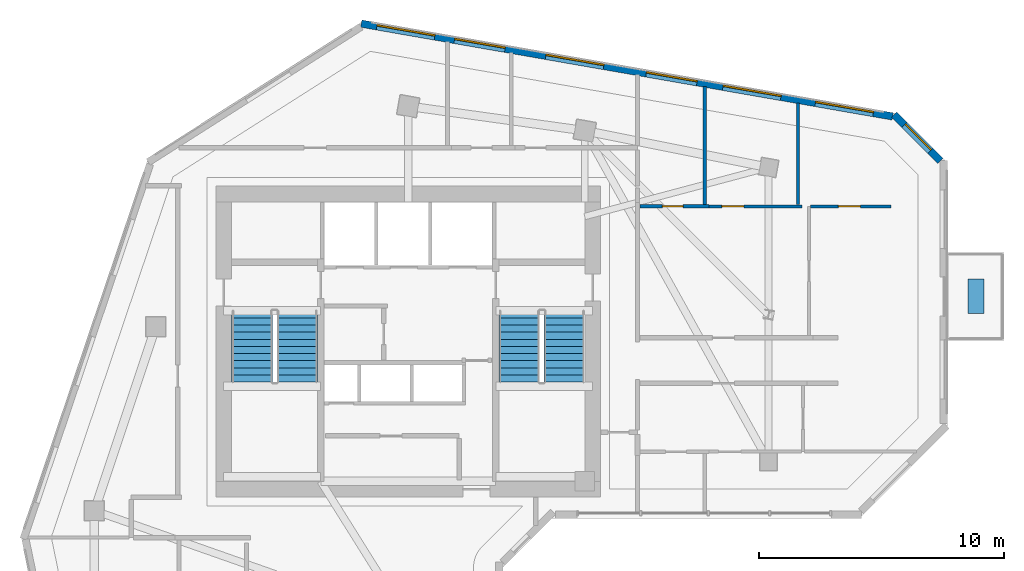
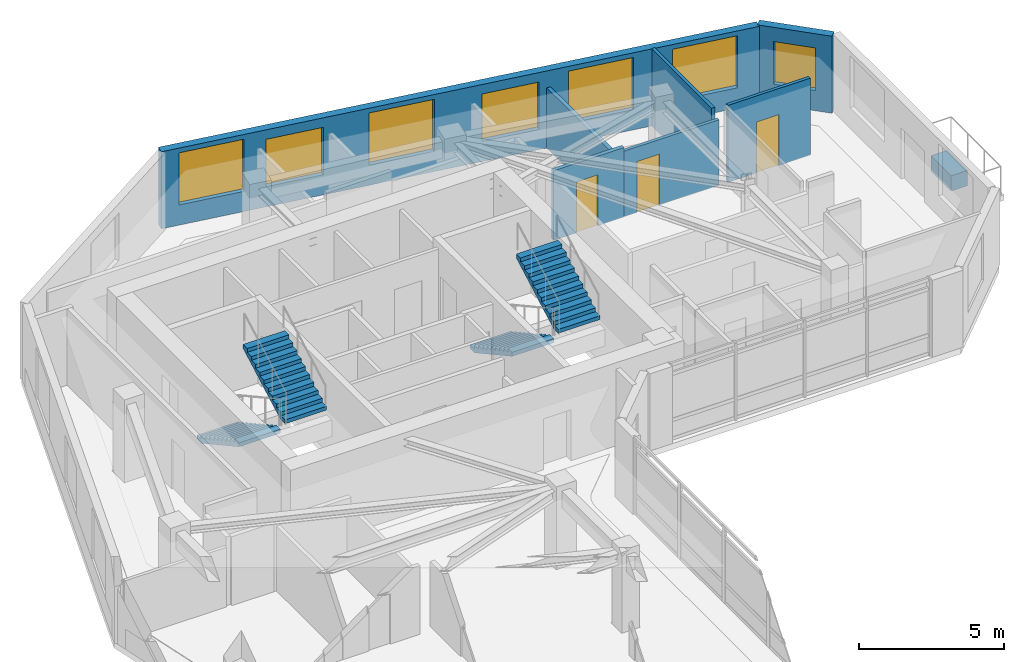
# One storey, part 7 of 10: 7 walls, 7 windows, 4 stair flights, 3 doors, 1 discrete accessory, 10 openings, 2 elements without a shape of their own.
"""IFC4 building model written with IfcOpenShell, lengths in metres."""

from ifc_helpers import new_model, si_unit, direction, frame, frame_2d, origin, origin_2d, place, context, subcontext, project, spatial, polyline, rectangle, outline, extrude, source, transform, mapped, material, layer, layer_set, type_object, element, fill, aggregate, save


model = new_model("IFC4")

# Units and contexts
model_context = context("Model", 3, precision=1e-05, world=origin(), true_north=direction((0.0, 1.0)))
body_context = subcontext(model_context, "Body", "Model", "MODEL_VIEW")
ifc_project = project(units=[si_unit("LENGTHUNIT", "METRE"), si_unit("AREAUNIT", "SQUARE_METRE"), si_unit("VOLUMEUNIT", "CUBIC_METRE"), si_unit("PLANEANGLEUNIT", "RADIAN"), si_unit("MASSUNIT", "GRAM", prefix="KILO")], contexts=[model_context])

# Site, building, storey
site_placement = place(None, origin())
site = spatial("IfcSite", under=ifc_project, at=site_placement, CompositionType="ELEMENT")
building_placement = place(site_placement, origin())
building = spatial("IfcBuilding", under=site, at=building_placement, Name="Calvemar Wedge Station Tower", CompositionType="ELEMENT")
storey_placement = place(building_placement, frame((0.0, 0.0, 221.89990234375)))
storey = spatial("IfcBuildingStorey", under=building, at=storey_placement, Name="L56", CompositionType="ELEMENT", Elevation=221.89990234375)

# Wall, opening, window
ifc_material_1 = material(Name="Precast concrete C45", Category="concrete")
ifc_layer_1 = layer(ifc_material_1, 0.300048828125)
ifc_layer_set_1 = layer_set([ifc_layer_1], Name="Precast concrete C45")
wall_type_1 = type_object("IfcWallType", Name="W-EXT-GFRC-300", PredefinedType="SOLIDWALL", material=ifc_layer_set_1)
wall_1_placement = place(storey_placement, frame((45.511962890625, 47.267822265625, 0.0), z_axis=(0.0, 0.0, 1.0), x_axis=(-0.707106781187, 0.707106781187, 0.0)))
wall_1 = element("IfcWall", 1, at=wall_1_placement, inside=storey, type_object=wall_type_1, Name="Storey L56 Bronze GFRC Exterior Wall 9", PredefinedType="SOLIDWALL", context=body_context, shape_type="SweptSolid", body=[
    extrude(rectangle(XDim=2.673828125, YDim=0.300048828125, at=frame_2d((1.3369140625, 0.0))), origin(), (0.0, 0.0, 1.0), 3.25),
])
shared_shape_1 = source(origin(), body_context, "Body", "SweptSolid", [
    extrude(rectangle(XDim=1.5, YDim=1.800048828125, at=frame_2d((0.75, 0.89990234375))), frame((0.0, 0.16015625, 0.0), z_axis=(0.0, -1.0, 0.0), x_axis=(1.0, 0.0, 0.0)), (0.0, 0.0, 1.0), 0.320068359375),
])
opening_1_placement = place(wall_1_placement, frame((0.5869140625, 0.0, 0.85009765625)))
opening_1 = element("IfcOpeningElement", 2, at=opening_1_placement, cuts=wall_1, Name="Opening W3", PredefinedType="OPENING", context=body_context, shape_type="MappedRepresentation", body=[
    mapped(shared_shape_1, transform((0.0, 0.0, 0.0), scale=1.0)),
])
ifc_material_2 = material(Name="Low-E laminated insulated glass", Category="glass")
window_type_1 = type_object("IfcWindowType", Name="WIN-EXT-3", PartitioningType="SINGLE_PANEL", PredefinedType="WINDOW", material=ifc_material_2)
shared_shape_2 = source(origin(), body_context, "Body", "SweptSolid", [
    extrude(rectangle(XDim=1.5, YDim=1.800048828125, at=frame_2d((0.75, 0.89990234375))), frame((0.0, -0.014892578125, 0.0), z_axis=(0.0, -1.0, 0.0), x_axis=(1.0, 0.0, 0.0)), (0.0, 0.0, 1.0), 0.06005859375),
])
window_1_placement = place(opening_1_placement, origin())
window_1 = element("IfcWindow", 3, at=window_1_placement, inside=storey, type_object=window_type_1, Name="Storey L56 Recessed Window 9.1", OverallHeight=1.800048828125, OverallWidth=1.5, PartitioningType="SINGLE_PANEL", PredefinedType="WINDOW", context=body_context, shape_type="MappedRepresentation", body=[
    mapped(shared_shape_2, transform((0.0, 0.0, 0.0), scale=1.0)),
])
fill(opening_1, window_1)

# Wall, openings, windows
wall_2_placement = place(storey_placement, frame((43.561279296875, 49.081298828125, 0.0), z_axis=(0.0, 0.0, 1.0), x_axis=(-0.985083967494, 0.17207433564, 0.0)))
wall_2 = element("IfcWall", 4, at=wall_2_placement, inside=storey, type_object=wall_type_1, Name="Storey L56 Bronze GFRC Exterior Wall 10", PredefinedType="SOLIDWALL", context=body_context, shape_type="SweptSolid", body=[
    extrude(rectangle(XDim=22.005615234375, YDim=0.300048828125, at=frame_2d((11.0029296875, 0.0))), origin(), (0.0, 0.0, 1.0), 3.25),
])
shared_shape_3 = source(origin(), body_context, "Body", "SweptSolid", [
    extrude(rectangle(XDim=2.39990234375, YDim=2.199951171875, at=frame_2d((1.199951171875, 1.10009765625))), frame((0.0, 0.16015625, 0.0), z_axis=(0.0, -1.0, 0.0), x_axis=(1.0, 0.0, 0.0)), (0.0, 0.0, 1.0), 0.320068359375),
])
opening_2_placement = place(wall_2_placement, frame((0.800048828125, 0.0, 0.85009765625)))
opening_2 = element("IfcOpeningElement", 5, at=opening_2_placement, cuts=wall_2, Name="Opening W1", PredefinedType="OPENING", context=body_context, shape_type="MappedRepresentation", body=[
    mapped(shared_shape_3, transform((0.0, 0.0, 0.0), scale=1.0)),
])
opening_3_placement = place(wall_2_placement, frame((4.6279296875, 0.0, 0.85009765625)))
opening_3 = element("IfcOpeningElement", 6, at=opening_3_placement, cuts=wall_2, Name="Opening W1", PredefinedType="OPENING", context=body_context, shape_type="MappedRepresentation", body=[
    mapped(shared_shape_3, transform((0.0, 0.0, 0.0), scale=1.0)),
])
shared_shape_4 = source(origin(), body_context, "Body", "SweptSolid", [
    extrude(rectangle(XDim=2.10009765625, YDim=2.0, at=frame_2d((1.050048828125, 1.0))), frame((0.0, 0.16015625, 0.0), z_axis=(0.0, -1.0, 0.0), x_axis=(1.0, 0.0, 0.0)), (0.0, 0.0, 1.0), 0.320068359375),
])
opening_4_placement = place(wall_2_placement, frame((8.10302734375, 0.0, 0.85009765625)))
opening_4 = element("IfcOpeningElement", 7, at=opening_4_placement, cuts=wall_2, Name="Opening W4", PredefinedType="OPENING", context=body_context, shape_type="MappedRepresentation", body=[
    mapped(shared_shape_4, transform((0.0, 0.0, 0.0), scale=1.0)),
])
opening_5_placement = place(wall_2_placement, frame((11.962890625, 0.0, 0.85009765625)))
opening_5 = element("IfcOpeningElement", 8, at=opening_5_placement, cuts=wall_2, Name="Opening W1", PredefinedType="OPENING", context=body_context, shape_type="MappedRepresentation", body=[
    mapped(shared_shape_3, transform((0.0, 0.0, 0.0), scale=1.0)),
])
opening_6_placement = place(wall_2_placement, frame((16.047119140625, 0.0, 0.85009765625)))
opening_6 = element("IfcOpeningElement", 9, at=opening_6_placement, cuts=wall_2, Name="Opening W4", PredefinedType="OPENING", context=body_context, shape_type="MappedRepresentation", body=[
    mapped(shared_shape_4, transform((0.0, 0.0, 0.0), scale=1.0)),
])
opening_7_placement = place(wall_2_placement, frame((18.9609375, 0.0, 0.85009765625)))
opening_7 = element("IfcOpeningElement", 10, at=opening_7_placement, cuts=wall_2, Name="Opening W1", PredefinedType="OPENING", context=body_context, shape_type="MappedRepresentation", body=[
    mapped(shared_shape_3, transform((0.0, 0.0, 0.0), scale=1.0)),
])
window_type_2 = type_object("IfcWindowType", Name="WIN-EXT-4", PartitioningType="SINGLE_PANEL", PredefinedType="WINDOW", material=ifc_material_2)
shared_shape_5 = source(origin(), body_context, "Body", "SweptSolid", [
    extrude(rectangle(XDim=2.10009765625, YDim=2.0, at=frame_2d((1.050048828125, 1.0))), frame((0.0, -0.014892578125, 0.0), z_axis=(0.0, -1.0, 0.0), x_axis=(1.0, 0.0, 0.0)), (0.0, 0.0, 1.0), 0.06005859375),
])
window_2_placement = place(opening_4_placement, origin())
window_2 = element("IfcWindow", 11, at=window_2_placement, inside=storey, type_object=window_type_2, Name="Storey L56 Recessed Window 10.3", OverallHeight=2.0, OverallWidth=2.10009765625, PartitioningType="SINGLE_PANEL", PredefinedType="WINDOW", context=body_context, shape_type="MappedRepresentation", body=[
    mapped(shared_shape_5, transform((0.0, 0.0, 0.0), scale=1.0)),
])
fill(opening_4, window_2)
window_3_placement = place(opening_6_placement, origin())
window_3 = element("IfcWindow", 12, at=window_3_placement, inside=storey, type_object=window_type_2, Name="Storey L56 Recessed Window 10.5", OverallHeight=2.0, OverallWidth=2.10009765625, PartitioningType="SINGLE_PANEL", PredefinedType="WINDOW", context=body_context, shape_type="MappedRepresentation", body=[
    mapped(shared_shape_5, transform((0.0, 0.0, 0.0), scale=1.0)),
])
fill(opening_6, window_3)
window_type_3 = type_object("IfcWindowType", Name="WIN-EXT-1", PartitioningType="SINGLE_PANEL", PredefinedType="WINDOW", material=ifc_material_2)
shared_shape_6 = source(origin(), body_context, "Body", "SweptSolid", [
    extrude(rectangle(XDim=2.39990234375, YDim=2.199951171875, at=frame_2d((1.199951171875, 1.10009765625))), frame((0.0, -0.014892578125, 0.0), z_axis=(0.0, -1.0, 0.0), x_axis=(1.0, 0.0, 0.0)), (0.0, 0.0, 1.0), 0.06005859375),
])
window_4_placement = place(opening_2_placement, origin())
window_4 = element("IfcWindow", 13, at=window_4_placement, inside=storey, type_object=window_type_3, Name="Storey L56 Recessed Window 10.1", OverallHeight=2.199951171875, OverallWidth=2.39990234375, PartitioningType="SINGLE_PANEL", PredefinedType="WINDOW", context=body_context, shape_type="MappedRepresentation", body=[
    mapped(shared_shape_6, transform((0.0, 0.0, 0.0), scale=1.0)),
])
fill(opening_2, window_4)
window_5_placement = place(opening_3_placement, origin())
window_5 = element("IfcWindow", 14, at=window_5_placement, inside=storey, type_object=window_type_3, Name="Storey L56 Recessed Window 10.2", OverallHeight=2.199951171875, OverallWidth=2.39990234375, PartitioningType="SINGLE_PANEL", PredefinedType="WINDOW", context=body_context, shape_type="MappedRepresentation", body=[
    mapped(shared_shape_6, transform((0.0, 0.0, 0.0), scale=1.0)),
])
fill(opening_3, window_5)
window_6_placement = place(opening_5_placement, origin())
window_6 = element("IfcWindow", 15, at=window_6_placement, inside=storey, type_object=window_type_3, Name="Storey L56 Recessed Window 10.4", OverallHeight=2.199951171875, OverallWidth=2.39990234375, PartitioningType="SINGLE_PANEL", PredefinedType="WINDOW", context=body_context, shape_type="MappedRepresentation", body=[
    mapped(shared_shape_6, transform((0.0, 0.0, 0.0), scale=1.0)),
])
fill(opening_5, window_6)
window_7_placement = place(opening_7_placement, origin())
window_7 = element("IfcWindow", 16, at=window_7_placement, inside=storey, type_object=window_type_3, Name="Storey L56 Recessed Window 10.6", OverallHeight=2.199951171875, OverallWidth=2.39990234375, PartitioningType="SINGLE_PANEL", PredefinedType="WINDOW", context=body_context, shape_type="MappedRepresentation", body=[
    mapped(shared_shape_6, transform((0.0, 0.0, 0.0), scale=1.0)),
])
fill(opening_7, window_7)

# Wall, opening, door
ifc_material_3 = material(Name="Insulated acoustic gypsum stud partition")
ifc_layer_2 = layer(ifc_material_3, 0.125)
ifc_layer_set_2 = layer_set([ifc_layer_2], Name="Insulated acoustic gypsum stud partition")
wall_type_2 = type_object("IfcWallType", Name="W-PART-125", PredefinedType="PARTITIONING", material=ifc_layer_set_2)
wall_3_placement = place(storey_placement, frame((36.06201171875, 45.4169921875, 0.0), z_axis=(0.0, 0.0, 1.0), x_axis=(1.0, 0.0, 0.0)))
wall_3 = element("IfcWall", 17, at=wall_3_placement, inside=storey, type_object=wall_type_2, Name="Storey L56 Interior Partition WL-L56-033", PredefinedType="PARTITIONING", context=body_context, shape_type="SweptSolid", body=[
    extrude(rectangle(XDim=3.798095703125, YDim=0.125, at=frame_2d((1.89892578125, 0.0))), origin(), (0.0, 0.0, 1.0), 2.76611328125),
])
shared_shape_7 = source(origin(), body_context, "Body", "SweptSolid", [
    extrude(rectangle(XDim=0.89990234375, YDim=2.14990234375, at=frame_2d((0.449951171875, 1.074951171875))), frame((0.0, 0.072509765625, 0.0), z_axis=(0.0, -1.0, 0.0), x_axis=(1.0, 0.0, 0.0)), (0.0, 0.0, 1.0), 0.14501953125),
])
opening_8_placement = place(wall_3_placement, frame((0.526123046875, 0.0, 0.0)))
opening_8 = element("IfcOpeningElement", 18, at=opening_8_placement, cuts=wall_3, Name="Opening D-01", PredefinedType="OPENING", context=body_context, shape_type="MappedRepresentation", body=[
    mapped(shared_shape_7, transform((0.0, 0.0, 0.0), scale=1.0)),
])
ifc_material_4 = material(Name="Architectural hardwood acoustic swing door", Category="wood")
door_type_1 = type_object("IfcDoorType", Name="DR-INT-900", OperationType="NOTDEFINED", PredefinedType="DOOR", material=ifc_material_4)
shared_shape_8 = source(origin(), body_context, "Body", "SweptSolid", [
    extrude(rectangle(XDim=0.89990234375, YDim=2.14990234375, at=frame_2d((0.449951171875, 1.074951171875))), frame((0.0, 0.02490234375, 0.0), z_axis=(0.0, -1.0, 0.0), x_axis=(1.0, 0.0, 0.0)), (0.0, 0.0, 1.0), 0.050048828125),
])
door_1_placement = place(opening_8_placement, origin())
door_1 = element("IfcDoor", 19, at=door_1_placement, inside=storey, type_object=door_type_1, Name="L56 Master Bedroom Door", OperationType="SINGLE_SWING_LEFT", OverallHeight=2.14990234375, OverallWidth=0.89990234375, PredefinedType="DOOR", context=body_context, shape_type="MappedRepresentation", body=[
    mapped(shared_shape_8, transform((0.0, 0.0, 0.0), scale=1.0)),
])
fill(opening_8, door_1)

wall_4_placement = place(storey_placement, frame((40.21240234375, 45.4169921875, 0.0), z_axis=(0.0, 0.0, 1.0), x_axis=(1.0, 0.0, 0.0)))
wall_4 = element("IfcWall", 20, at=wall_4_placement, inside=storey, type_object=wall_type_2, Name="Storey L56 Interior Partition WL-L56-034", PredefinedType="PARTITIONING", context=body_context, shape_type="SweptSolid", body=[
    extrude(rectangle(XDim=3.28759765625, YDim=0.125, at=frame_2d((1.643798828125, 0.0))), origin(), (0.0, 0.0, 1.0), 3.25),
])
opening_9_placement = place(wall_4_placement, frame((1.1328125, 0.0, 0.0)))
opening_9 = element("IfcOpeningElement", 21, at=opening_9_placement, cuts=wall_4, Name="Opening D-01", PredefinedType="OPENING", context=body_context, shape_type="MappedRepresentation", body=[
    mapped(shared_shape_7, transform((0.0, 0.0, 0.0), scale=1.0)),
])
door_2_placement = place(opening_9_placement, origin())
door_2 = element("IfcDoor", 22, at=door_2_placement, inside=storey, type_object=door_type_1, Name="L56 Master Bedroom Door", OperationType="SINGLE_SWING_RIGHT", OverallHeight=2.14990234375, OverallWidth=0.89990234375, PredefinedType="DOOR", context=body_context, shape_type="MappedRepresentation", body=[
    mapped(shared_shape_8, transform((0.0, 0.0, 0.0), scale=1.0)),
])
fill(opening_9, door_2)

# Wall
wall_5_placement = place(storey_placement, frame((39.699951171875, 49.63916015625, 0.0), z_axis=(0.0, 0.0, 1.0), x_axis=(0.0, -1.0, 0.0)))
element("IfcWall", 23, at=wall_5_placement, inside=storey, type_object=wall_type_2, Name="Storey L56 Interior Partition WL-L56-036", PredefinedType="PARTITIONING", context=body_context, shape_type="SweptSolid", body=[
    extrude(rectangle(XDim=4.15576171875, YDim=0.125, at=frame_2d((2.077880859375, 0.0))), origin(), (0.0, 0.0, 1.0), 3.25),
])

# Wall, opening, door
ifc_material_5 = material(Name="Moisture-resistant acoustic bathroom partition")
ifc_layer_3 = layer(ifc_material_5, 0.14990234375)
ifc_layer_set_3 = layer_set([ifc_layer_3], Name="Moisture-resistant acoustic bathroom partition")
wall_type_3 = type_object("IfcWallType", Name="W-WET-150", PredefinedType="PARTITIONING", material=ifc_layer_set_3)
wall_6_placement = place(storey_placement, frame((33.243896484375, 45.4169921875, 0.0), z_axis=(0.0, 0.0, 1.0), x_axis=(1.0, 0.0, 0.0)))
wall_6 = element("IfcWall", 24, at=wall_6_placement, inside=storey, type_object=wall_type_3, Name="Storey L56 Interior Partition WL-L56-032", PredefinedType="PARTITIONING", context=body_context, shape_type="SweptSolid", body=[
    extrude(rectangle(XDim=2.816162109375, YDim=0.14990234375, at=frame_2d((1.408203125, 0.0))), origin(), (0.0, 0.0, 1.0), 2.93408203125),
])
shared_shape_9 = source(origin(), body_context, "Body", "SweptSolid", [
    extrude(rectangle(XDim=0.85009765625, YDim=2.14990234375, at=frame_2d((0.425048828125, 1.074951171875))), frame((0.0, 0.0849609375, 0.0), z_axis=(0.0, -1.0, 0.0), x_axis=(1.0, 0.0, 0.0)), (0.0, 0.0, 1.0), 0.169921875),
])
opening_10_placement = place(wall_6_placement, frame((0.919189453125, 0.0, 0.0)))
opening_10 = element("IfcOpeningElement", 25, at=opening_10_placement, cuts=wall_6, Name="Opening D-02", PredefinedType="OPENING", context=body_context, shape_type="MappedRepresentation", body=[
    mapped(shared_shape_9, transform((0.0, 0.0, 0.0), scale=1.0)),
])
ifc_material_6 = material(Name="Moisture-sealed bathroom hardwood swing door", Category="wood")
door_type_2 = type_object("IfcDoorType", Name="DR-WET-850", OperationType="NOTDEFINED", PredefinedType="DOOR", material=ifc_material_6)
shared_shape_10 = source(origin(), body_context, "Body", "SweptSolid", [
    extrude(rectangle(XDim=0.85009765625, YDim=2.14990234375, at=frame_2d((0.425048828125, 1.074951171875))), frame((0.0, 0.02490234375, 0.0), z_axis=(0.0, -1.0, 0.0), x_axis=(1.0, 0.0, 0.0)), (0.0, 0.0, 1.0), 0.050048828125),
])
door_3_placement = place(opening_10_placement, origin())
door_3 = element("IfcDoor", 26, at=door_3_placement, inside=storey, type_object=door_type_2, Name="L56 Bathroom Door", OperationType="SINGLE_SWING_RIGHT", OverallHeight=2.14990234375, OverallWidth=0.85009765625, PredefinedType="DOOR", context=body_context, shape_type="MappedRepresentation", body=[
    mapped(shared_shape_10, transform((0.0, 0.0, 0.0), scale=1.0)),
])
fill(opening_10, door_3)

# Wall
wall_7_placement = place(storey_placement, frame((35.89990234375, 50.302978515625, 0.0), z_axis=(0.0, 0.0, 1.0), x_axis=(0.0, -1.0, 0.0)))
element("IfcWall", 27, at=wall_7_placement, inside=storey, type_object=wall_type_3, Name="Storey L56 Interior Partition WL-L56-035", PredefinedType="PARTITIONING", context=body_context, shape_type="SweptSolid", body=[
    extrude(rectangle(XDim=4.806884765625, YDim=0.14990234375, at=frame_2d((2.4033203125, 0.0))), origin(), (0.0, 0.0, 1.0), 2.5419921875),
])

# Stair, stair flights
ifc_material_7 = material(Name="Concrete C45", Category="concrete")
stair_type = type_object("IfcStairType", Name="ST-TYPE-3500", PredefinedType="HALF_TURN_STAIR", material=ifc_material_7)
stair_1_placement = place(storey_placement, origin())
stair_1 = element("IfcStair", 28, at=stair_1_placement, inside=storey, type_object=stair_type, Name="L56 Pressurized Core Exit Stair ST-C1", PredefinedType="HALF_TURN_STAIR")
stair_flight_type = type_object("IfcStairFlightType", Name="STF-TYPE-3500", PredefinedType="STRAIGHT", material=ifc_material_7)
stair_flight_1_placement = place(storey_placement, frame((17.429931640625, 41.14990234375, 0.0), z_axis=(0.0, 0.0, 1.0), x_axis=(0.0, -1.0, 0.0)))
stair_flight_1 = element("IfcStairFlight", 29, at=stair_flight_1_placement, type_object=stair_flight_type, Name="ST-C1 flight 1", NumberOfRisers=11, NumberOfTreads=10, PredefinedType="STRAIGHT", RiserHeight=0.159090909, TreadLength=0.29, context=body_context, shape_type="SweptSolid", body=[
    extrude(outline(polyline([(0.0, 0.0), (0.0, 0.1591796875), (0.2900390625, 0.1591796875), (0.2900390625, 0.318115234375), (0.580078125, 0.318115234375), (0.580078125, 0.477294921875), (0.8701171875, 0.477294921875), (0.8701171875, 0.636474609375), (1.159912109375, 0.636474609375), (1.159912109375, 0.79541015625), (1.449951171875, 0.79541015625), (1.449951171875, 0.95458984375), (1.739990234375, 0.95458984375), (1.739990234375, 1.113525390625), (2.030029296875, 1.113525390625), (2.030029296875, 1.272705078125), (2.320068359375, 1.272705078125), (2.320068359375, 1.431884765625), (2.610107421875, 1.431884765625), (2.610107421875, 1.5908203125), (2.89990234375, 1.5908203125), (2.89990234375, 1.75), (2.89990234375, 1.419921875), (0.311767578125, 0.0), (0.0, 0.0)])), frame((0.0, 0.830078125, 0.0), z_axis=(0.0, -1.0, 0.0), x_axis=(1.0, 0.0, 0.0)), (0.0, 0.0, 1.0), 1.659912109375),
])
stair_flight_2_placement = place(storey_placement, frame((19.27001953125, 38.25, 1.75), z_axis=(0.0, 0.0, 1.0), x_axis=(0.0, 1.0, 0.0)))
stair_flight_2 = element("IfcStairFlight", 30, at=stair_flight_2_placement, type_object=stair_flight_type, Name="ST-C1 flight 2", NumberOfRisers=11, NumberOfTreads=10, PredefinedType="STRAIGHT", RiserHeight=0.159090909, TreadLength=0.29, context=body_context, shape_type="SweptSolid", body=[
    extrude(outline(polyline([(0.0, 0.0), (0.0, 0.1591796875), (0.2900390625, 0.1591796875), (0.2900390625, 0.318115234375), (0.580078125, 0.318115234375), (0.580078125, 0.477294921875), (0.8701171875, 0.477294921875), (0.8701171875, 0.636474609375), (1.159912109375, 0.636474609375), (1.159912109375, 0.79541015625), (1.449951171875, 0.79541015625), (1.449951171875, 0.95458984375), (1.739990234375, 0.95458984375), (1.739990234375, 1.113525390625), (2.030029296875, 1.113525390625), (2.030029296875, 1.272705078125), (2.320068359375, 1.272705078125), (2.320068359375, 1.431884765625), (2.610107421875, 1.431884765625), (2.610107421875, 1.5908203125), (2.89990234375, 1.5908203125), (2.89990234375, 1.75), (2.89990234375, 1.419921875), (0.311767578125, 0.0), (0.0, 0.0)])), frame((0.0, 0.830078125, 0.0), z_axis=(0.0, -1.0, 0.0), x_axis=(1.0, 0.0, 0.0)), (0.0, 0.0, 1.0), 1.659912109375),
])
aggregate(stair_1, [stair_flight_1, stair_flight_2])

stair_2_placement = place(storey_placement, origin())
stair_2 = element("IfcStair", 31, at=stair_2_placement, inside=storey, type_object=stair_type, Name="L56 Pressurized Core Exit Stair ST-C2", PredefinedType="HALF_TURN_STAIR")
stair_flight_3_placement = place(storey_placement, frame((28.330078125, 41.14990234375, 0.0), z_axis=(0.0, 0.0, 1.0), x_axis=(0.0, -1.0, 0.0)))
stair_flight_3 = element("IfcStairFlight", 32, at=stair_flight_3_placement, type_object=stair_flight_type, Name="ST-C2 flight 1", NumberOfRisers=11, NumberOfTreads=10, PredefinedType="STRAIGHT", RiserHeight=0.159090909, TreadLength=0.29, context=body_context, shape_type="SweptSolid", body=[
    extrude(outline(polyline([(0.0, 0.0), (0.0, 0.1591796875), (0.2900390625, 0.1591796875), (0.2900390625, 0.318115234375), (0.580078125, 0.318115234375), (0.580078125, 0.477294921875), (0.8701171875, 0.477294921875), (0.8701171875, 0.636474609375), (1.159912109375, 0.636474609375), (1.159912109375, 0.79541015625), (1.449951171875, 0.79541015625), (1.449951171875, 0.95458984375), (1.739990234375, 0.95458984375), (1.739990234375, 1.113525390625), (2.030029296875, 1.113525390625), (2.030029296875, 1.272705078125), (2.320068359375, 1.272705078125), (2.320068359375, 1.431884765625), (2.610107421875, 1.431884765625), (2.610107421875, 1.5908203125), (2.89990234375, 1.5908203125), (2.89990234375, 1.75), (2.89990234375, 1.419921875), (0.311767578125, 0.0), (0.0, 0.0)])), frame((0.0, 0.830078125, 0.0), z_axis=(0.0, -1.0, 0.0), x_axis=(1.0, 0.0, 0.0)), (0.0, 0.0, 1.0), 1.659912109375),
])
stair_flight_4_placement = place(storey_placement, frame((30.169921875, 38.25, 1.75), z_axis=(0.0, 0.0, 1.0), x_axis=(0.0, 1.0, 0.0)))
stair_flight_4 = element("IfcStairFlight", 33, at=stair_flight_4_placement, type_object=stair_flight_type, Name="ST-C2 flight 2", NumberOfRisers=11, NumberOfTreads=10, PredefinedType="STRAIGHT", RiserHeight=0.159090909, TreadLength=0.29, context=body_context, shape_type="SweptSolid", body=[
    extrude(outline(polyline([(0.0, 0.0), (0.0, 0.1591796875), (0.2900390625, 0.1591796875), (0.2900390625, 0.318115234375), (0.580078125, 0.318115234375), (0.580078125, 0.477294921875), (0.8701171875, 0.477294921875), (0.8701171875, 0.636474609375), (1.159912109375, 0.636474609375), (1.159912109375, 0.79541015625), (1.449951171875, 0.79541015625), (1.449951171875, 0.95458984375), (1.739990234375, 0.95458984375), (1.739990234375, 1.113525390625), (2.030029296875, 1.113525390625), (2.030029296875, 1.272705078125), (2.320068359375, 1.272705078125), (2.320068359375, 1.431884765625), (2.610107421875, 1.431884765625), (2.610107421875, 1.5908203125), (2.89990234375, 1.5908203125), (2.89990234375, 1.75), (2.89990234375, 1.419921875), (0.311767578125, 0.0), (0.0, 0.0)])), frame((0.0, 0.830078125, 0.0), z_axis=(0.0, -1.0, 0.0), x_axis=(1.0, 0.0, 0.0)), (0.0, 0.0, 1.0), 1.659912109375),
])
aggregate(stair_2, [stair_flight_3, stair_flight_4])

# Discrete accessory
discrete_accessory_type = type_object("IfcDiscreteAccessoryType", Name="ACC-PLANTER", PredefinedType="USERDEFINED", material=ifc_material_1)
shared_shape_11 = source(origin(), body_context, "Body", "SweptSolid", [
    extrude(rectangle(XDim=0.64990234375, YDim=1.39990234375, at=origin_2d()), origin(), (0.0, 0.0, 1.0), 0.64990234375),
])
discrete_accessory_placement = place(storey_placement, frame((46.949951171875, 41.741943359375, 0.000244140625), z_axis=(0.0, 0.0, 1.0), x_axis=(1.0, 0.0, 0.0)))
element("IfcDiscreteAccessory", 34, at=discrete_accessory_placement, inside=storey, type_object=discrete_accessory_type, Name="Storey L56 Planted Terrace GFRC Planter", ObjectType="PLANTER", PredefinedType="USERDEFINED", context=body_context, shape_type="MappedRepresentation", body=[
    mapped(shared_shape_11, transform((0.0, 0.0, 0.0), scale=1.0)),
])

save(model, "model.ifc")
